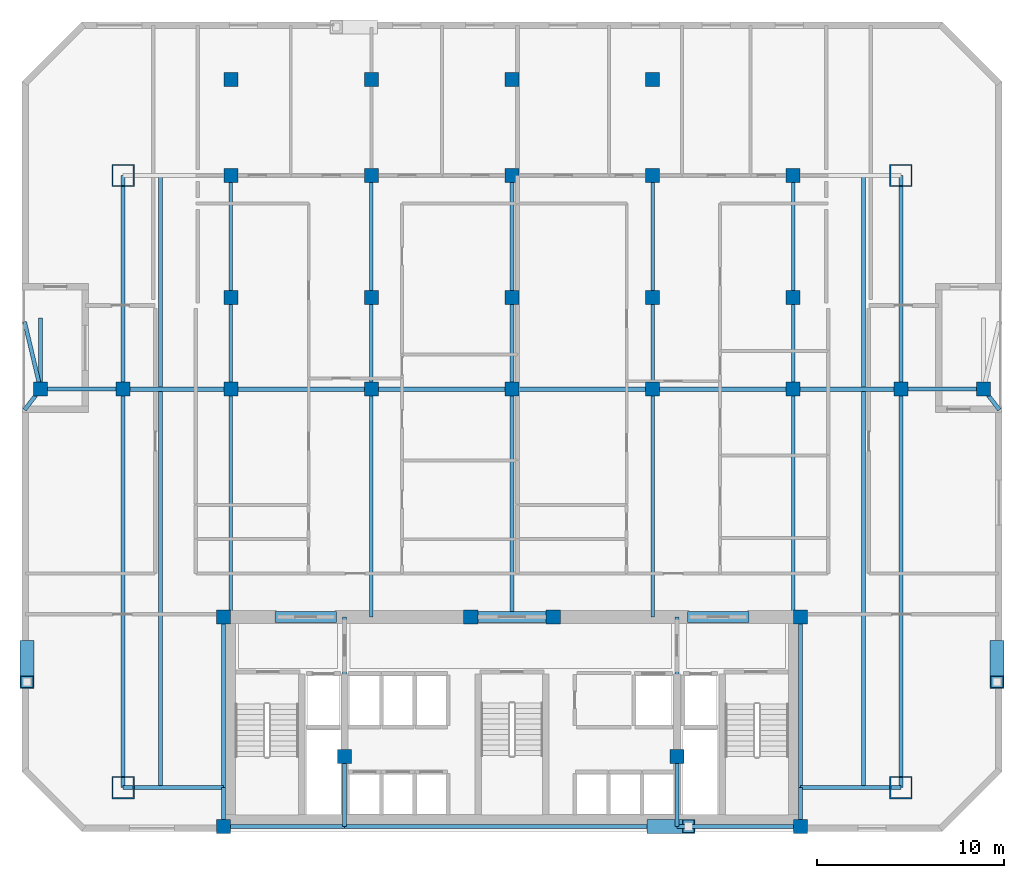
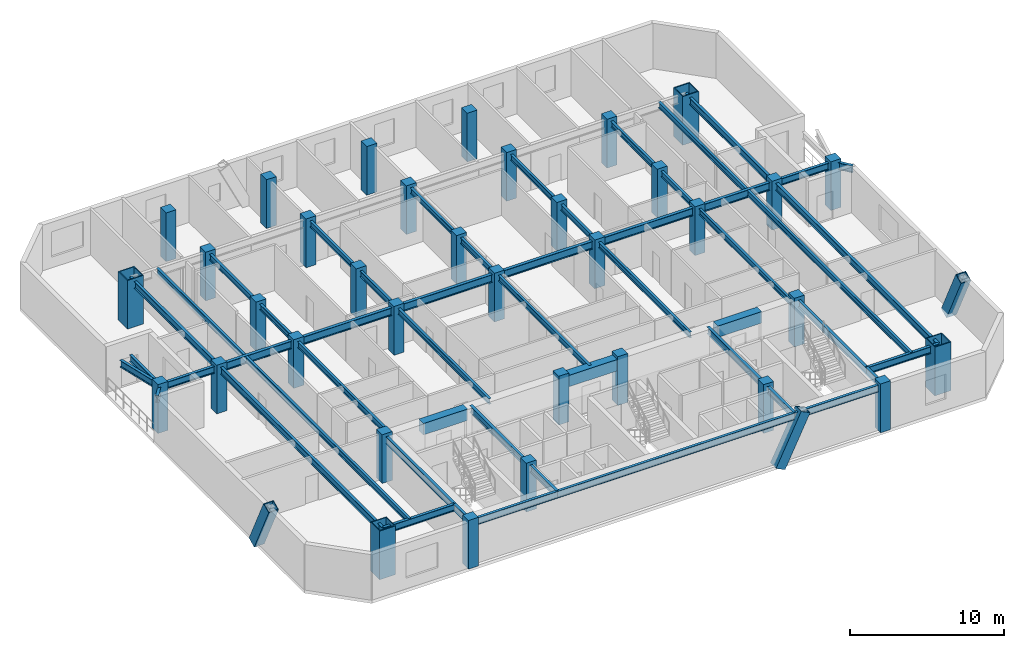
# One storey, part 1 of 9: 46 beams, 35 columns, 3 members.
"""IFC4 building model written with IfcOpenShell, lengths in metres."""

from ifc_helpers import new_model, si_unit, direction, frame, origin, origin_2d, place, context, subcontext, project, spatial, rectangle, hollow_rectangle, i_section, extrude, material, material_profile, profile_set, type_object, element, save


model = new_model("IFC4")

# Units and contexts
model_context = context("Model", 3, precision=1e-05, world=origin(), true_north=direction((0.0, 1.0)))
body_context = subcontext(model_context, "Body", "Model", "MODEL_VIEW")
ifc_project = project(units=[si_unit("LENGTHUNIT", "METRE"), si_unit("AREAUNIT", "SQUARE_METRE"), si_unit("VOLUMEUNIT", "CUBIC_METRE"), si_unit("PLANEANGLEUNIT", "RADIAN"), si_unit("MASSUNIT", "GRAM", prefix="KILO")], contexts=[model_context])

# Site, building, storey
site_placement = place(None, origin())
site = spatial("IfcSite", under=ifc_project, at=site_placement, CompositionType="ELEMENT")
building_placement = place(site_placement, origin())
building = spatial("IfcBuilding", under=site, at=building_placement, Name="Ventersveld Concourse Tower", CompositionType="ELEMENT")
storey_placement = place(building_placement, frame((0.0, 0.0, 108.0)))
storey = spatial("IfcBuildingStorey", under=building, at=storey_placement, Name="L26", CompositionType="ELEMENT", Elevation=108.0)

# Columns
ifc_material_1 = material(Name="Concrete C50/60", Category="concrete")
ifc_material_profile_1 = material_profile(ifc_material_1, rectangle(XDim=0.75, YDim=0.75, at=origin_2d()), Name="RC 750x750")
ifc_profile_set_1 = profile_set([ifc_material_profile_1], Name="Concrete C50/60")
column_type_1 = type_object("IfcColumnType", Name="COL-RC750", PredefinedType="COLUMN", material=ifc_profile_set_1)
for number, where, z_axis, x_axis, name in (
    (1, (13.35009765625, 0.280029296875, 0.0), (0.0, 0.0, 1.0), (1.0, 0.0, 0.0), "L26 Core Spine Column CC-SW"),
    (2, (44.14990234375, 0.280029296875, 0.0), (0.0, 0.0, 1.0), (1.0, 0.0, 0.0), "L26 Core Spine Column CC-SE"),
    (3, (13.35009765625, 11.449951171875, 0.0), (0.0, 0.0, 1.0), (1.0, 0.0, 0.0), "L26 Core Spine Column CC-NW"),
    (4, (44.14990234375, 11.449951171875, 0.0), (0.0, 0.0, 1.0), (1.0, 0.0, 0.0), "L26 Core Spine Column CC-NE"),
    (5, (19.820068359375, 4.0, 0.0), (0.0, 0.0, 1.0), (1.0, 0.0, 0.0), "L26 Core Spine Column CM-1"),
    (6, (37.550048828125, 4.0, 0.0), (0.0, 0.0, 1.0), (1.0, 0.0, 0.0), "L26 Core Spine Column CM-2"),
    (7, (26.550048828125, 11.449951171875, 0.0), (0.0, 0.0, 1.0), (1.0, 0.0, 0.0), "L26 Core Spine Column CM-3"),
    (8, (30.949951171875, 11.449951171875, 0.0), (0.0, 0.0, 1.0), (1.0, 0.0, 0.0), "L26 Core Spine Column CM-4"),
    (9, (3.60009765625, 23.60009765625, 0.0), (0.0, 0.0, 1.0), (1.0, 0.0, 0.0), "L26 Interior Gravity Column X=3.60 Y=23.60"),
    (10, (8.0, 23.60009765625, 0.0), (0.0, 0.0, 1.0), (1.0, 0.0, 0.0), "L26 Interior Gravity Column X=8.00 Y=23.60"),
    (11, (13.75, 23.60009765625, 0.0), (0.0, 0.0, 1.0), (1.0, 0.0, 0.0), "L26 Interior Gravity Column X=13.75 Y=23.60"),
    (12, (21.25, 23.60009765625, 0.0), (0.0, 0.0, 1.0), (1.0, 0.0, 0.0), "L26 Interior Gravity Column X=21.25 Y=23.60"),
    (13, (28.75, 23.60009765625, 0.0), (0.0, 0.0, 1.0), (1.0, 0.0, 0.0), "L26 Interior Gravity Column X=28.75 Y=23.60"),
    (14, (36.25, 23.60009765625, 0.0), (0.0, 0.0, 1.0), (1.0, 0.0, 0.0), "L26 Interior Gravity Column X=36.25 Y=23.60"),
    (15, (43.75, 23.60009765625, 0.0), (0.0, 0.0, 1.0), (1.0, 0.0, 0.0), "L26 Interior Gravity Column X=43.75 Y=23.60"),
    (16, (49.5, 23.60009765625, 0.0), (0.0, 0.0, 1.0), (1.0, 0.0, 0.0), "L26 Interior Gravity Column X=49.50 Y=23.60"),
    (17, (53.89990234375, 23.60009765625, 0.0), (0.0, 0.0, 1.0), (1.0, 0.0, 0.0), "L26 Interior Gravity Column X=53.90 Y=23.60"),
    (18, (13.75, 28.5, 0.0), (0.0, 0.0, 1.0), (1.0, 0.0, 0.0), "L26 Upper-North Gravity Column X=13.75 Y=28.50"),
    (19, (21.25, 28.5, 0.0), (0.0, 0.0, 1.0), (1.0, 0.0, 0.0), "L26 Upper-North Gravity Column X=21.25 Y=28.50"),
    (20, (28.75, 28.5, 0.0), (0.0, 0.0, 1.0), (1.0, 0.0, 0.0), "L26 Upper-North Gravity Column X=28.75 Y=28.50"),
    (21, (36.25, 28.5, 0.0), (0.0, 0.0, 1.0), (1.0, 0.0, 0.0), "L26 Upper-North Gravity Column X=36.25 Y=28.50"),
    (22, (43.75, 28.5, 0.0), (0.0, 0.0, 1.0), (1.0, 0.0, 0.0), "L26 Upper-North Gravity Column X=43.75 Y=28.50"),
    (23, (13.75, 40.1201171875, 0.0), (0.0, 0.0, 1.0), (1.0, 0.0, 0.0), "L26 North Brace Node Column X=13.75 Y=40.12"),
    (24, (21.25, 40.1201171875, 0.0), (0.0, 0.0, 1.0), (1.0, 0.0, 0.0), "L26 North Brace Node Column X=21.25 Y=40.12"),
    (25, (28.75, 40.1201171875, 0.0), (0.0, 0.0, 1.0), (1.0, 0.0, 0.0), "L26 North Brace Node Column X=28.75 Y=40.12"),
    (26, (36.25, 40.1201171875, 0.0), (0.0, 0.0, 1.0), (1.0, 0.0, 0.0), "L26 North Brace Node Column X=36.25 Y=40.12"),
    (27, (13.75, 35.0, 0.0), (0.0, 0.0, 1.0), (1.0, 0.0, 0.0), "L26 Mid-North Column X=13.75 Y=35.00"),
    (28, (21.25, 35.0, 0.0), (0.0, 0.0, 1.0), (1.0, 0.0, 0.0), "L26 Mid-North Column X=21.25 Y=35.00"),
    (29, (28.75, 35.0, 0.0), (0.0, 0.0, 1.0), (1.0, 0.0, 0.0), "L26 Mid-North Column X=28.75 Y=35.00"),
    (30, (36.25, 35.0, 0.0), (0.0, 0.0, 1.0), (1.0, 0.0, 0.0), "L26 Mid-North Column X=36.25 Y=35.00"),
    (31, (43.75, 35.0, 0.0), (0.0, 0.0, 1.0), (1.0, 0.0, 0.0), "L26 Mid-North Column X=43.75 Y=35.00"),
):
    element("IfcColumn", number, at=place(storey_placement, frame(where, z_axis=z_axis, x_axis=x_axis)), inside=storey, type_object=column_type_1, Name=name, PredefinedType="COLUMN", context=body_context, shape_type="SweptSolid", body=[
        extrude(rectangle(XDim=0.75, YDim=0.75, at=origin_2d()), origin(), (0.0, 0.0, 1.0), 3.85009765625),
    ])
ifc_material_2 = material(Name="Structural steel S460ML", Category="steel")
ifc_material_profile_2 = material_profile(ifc_material_2, hollow_rectangle(XDim=1.199951171875, YDim=1.199951171875, WallThickness=0.070068359375, at=origin_2d()), Name="BOX 1200x1200x70")
ifc_profile_set_2 = profile_set([ifc_material_profile_2], Name="Structural steel S460ML")
column_type_2 = type_object("IfcColumnType", Name="MC-1200", PredefinedType="USERDEFINED", material=ifc_profile_set_2)
for number, where, z_axis, x_axis, name in (
    (32, (8.0, 2.35009765625, 0.0), (0.0, 0.0, 1.0), (1.0, 0.0, 0.0), "L26 Corner Mega-Column MC-SW"),
    (33, (49.5, 2.35009765625, 0.0), (0.0, 0.0, 1.0), (1.0, 0.0, 0.0), "L26 Corner Mega-Column MC-SE"),
    (34, (49.5, 35.0, 0.0), (0.0, 0.0, 1.0), (1.0, 0.0, 0.0), "L26 Corner Mega-Column MC-NE"),
    (35, (8.0, 35.0, 0.0), (0.0, 0.0, 1.0), (1.0, 0.0, 0.0), "L26 Corner Mega-Column MC-NW"),
):
    element("IfcColumn", number, at=place(storey_placement, frame(where, z_axis=z_axis, x_axis=x_axis)), inside=storey, type_object=column_type_2, Name=name, ObjectType="MEGA_COLUMN", PredefinedType="USERDEFINED", context=body_context, shape_type="SweptSolid", body=[
        extrude(hollow_rectangle(XDim=1.199951171875, YDim=1.199951171875, WallThickness=0.070068359375, at=origin_2d()), origin(), (0.0, 0.0, 1.0), 3.85009765625),
    ])

# Beams
ifc_material_3 = material(Name="Structural steel S355J2", Category="steel")
ifc_material_profile_3 = material_profile(ifc_material_3, i_section(OverallWidth=0.18994140625, OverallDepth=0.453369140625, WebThickness=0.008544921875, FlangeThickness=0.0126953125, FilletRadius=0.01025390625, at=origin_2d()), Name="UB 457x191x67")
ifc_profile_set_3 = profile_set([ifc_material_profile_3], Name="Structural steel S355J2")
beam_type_1 = type_object("IfcBeamType", Name="BM-UB457", PredefinedType="BEAM", material=ifc_profile_set_3)
beam_1_placement = place(storey_placement, frame((10.0, 2.35009765625, 3.373291015625), z_axis=(0.0, 1.0, 0.0), x_axis=(-1.0, 0.0, 0.0)))
element("IfcBeam", 36, at=beam_1_placement, inside=storey, type_object=beam_type_1, Name="L26 N-S Composite Floor Beam South X=10.00", PredefinedType="BEAM", context=body_context, shape_type="SweptSolid", body=[
    extrude(i_section(OverallWidth=0.18994140625, OverallDepth=0.453369140625, WebThickness=0.008544921875, FlangeThickness=0.0126953125, FilletRadius=0.01025390625, at=origin_2d()), origin(), (0.0, 0.0, 1.0), 21.15478515625),
])
beam_2_placement = place(storey_placement, frame((10.0, 23.695068359375, 3.373291015625), z_axis=(0.0, 1.0, 0.0), x_axis=(-1.0, 0.0, 0.0)))
element("IfcBeam", 37, at=beam_2_placement, inside=storey, type_object=beam_type_1, Name="L26 N-S Composite Floor Beam Mid X=10.00", PredefinedType="BEAM", context=body_context, shape_type="SweptSolid", body=[
    extrude(i_section(OverallWidth=0.18994140625, OverallDepth=0.453369140625, WebThickness=0.008544921875, FlangeThickness=0.0126953125, FilletRadius=0.01025390625, at=origin_2d()), origin(), (0.0, 0.0, 1.0), 11.304931640625),
])
beam_3_placement = place(storey_placement, frame((13.75, 11.449951171875, 3.373291015625), z_axis=(0.0, 1.0, 0.0), x_axis=(-1.0, 0.0, 0.0)))
element("IfcBeam", 38, at=beam_3_placement, inside=storey, type_object=beam_type_1, Name="L26 N-S Composite Floor Beam South X=13.75", PredefinedType="BEAM", context=body_context, shape_type="SweptSolid", body=[
    extrude(i_section(OverallWidth=0.18994140625, OverallDepth=0.453369140625, WebThickness=0.008544921875, FlangeThickness=0.0126953125, FilletRadius=0.01025390625, at=origin_2d()), origin(), (0.0, 0.0, 1.0), 12.150146484375),
])
beam_4_placement = place(storey_placement, frame((13.75, 23.60009765625, 3.373291015625), z_axis=(0.0, 1.0, 0.0), x_axis=(-1.0, 0.0, 0.0)))
element("IfcBeam", 39, at=beam_4_placement, inside=storey, type_object=beam_type_1, Name="L26 N-S Composite Floor Beam Mid X=13.75", PredefinedType="BEAM", context=body_context, shape_type="SweptSolid", body=[
    extrude(i_section(OverallWidth=0.18994140625, OverallDepth=0.453369140625, WebThickness=0.008544921875, FlangeThickness=0.0126953125, FilletRadius=0.01025390625, at=origin_2d()), origin(), (0.0, 0.0, 1.0), 11.39990234375),
])
beam_5_placement = place(storey_placement, frame((21.25, 11.449951171875, 3.373291015625), z_axis=(0.0, 1.0, 0.0), x_axis=(-1.0, 0.0, 0.0)))
element("IfcBeam", 40, at=beam_5_placement, inside=storey, type_object=beam_type_1, Name="L26 N-S Composite Floor Beam South X=21.25", PredefinedType="BEAM", context=body_context, shape_type="SweptSolid", body=[
    extrude(i_section(OverallWidth=0.18994140625, OverallDepth=0.453369140625, WebThickness=0.008544921875, FlangeThickness=0.0126953125, FilletRadius=0.01025390625, at=origin_2d()), origin(), (0.0, 0.0, 1.0), 12.150146484375),
])
beam_6_placement = place(storey_placement, frame((21.25, 23.60009765625, 3.373291015625), z_axis=(0.0, 1.0, 0.0), x_axis=(-1.0, 0.0, 0.0)))
element("IfcBeam", 41, at=beam_6_placement, inside=storey, type_object=beam_type_1, Name="L26 N-S Composite Floor Beam Mid X=21.25", PredefinedType="BEAM", context=body_context, shape_type="SweptSolid", body=[
    extrude(i_section(OverallWidth=0.18994140625, OverallDepth=0.453369140625, WebThickness=0.008544921875, FlangeThickness=0.0126953125, FilletRadius=0.01025390625, at=origin_2d()), origin(), (0.0, 0.0, 1.0), 11.39990234375),
])
beam_7_placement = place(storey_placement, frame((28.75, 11.449951171875, 3.373291015625), z_axis=(0.0, 1.0, 0.0), x_axis=(-1.0, 0.0, 0.0)))
element("IfcBeam", 42, at=beam_7_placement, inside=storey, type_object=beam_type_1, Name="L26 N-S Composite Floor Beam South X=28.75", PredefinedType="BEAM", context=body_context, shape_type="SweptSolid", body=[
    extrude(i_section(OverallWidth=0.18994140625, OverallDepth=0.453369140625, WebThickness=0.008544921875, FlangeThickness=0.0126953125, FilletRadius=0.01025390625, at=origin_2d()), origin(), (0.0, 0.0, 1.0), 12.150146484375),
])
beam_8_placement = place(storey_placement, frame((28.75, 23.60009765625, 3.373291015625), z_axis=(0.0, 1.0, 0.0), x_axis=(-1.0, 0.0, 0.0)))
element("IfcBeam", 43, at=beam_8_placement, inside=storey, type_object=beam_type_1, Name="L26 N-S Composite Floor Beam Mid X=28.75", PredefinedType="BEAM", context=body_context, shape_type="SweptSolid", body=[
    extrude(i_section(OverallWidth=0.18994140625, OverallDepth=0.453369140625, WebThickness=0.008544921875, FlangeThickness=0.0126953125, FilletRadius=0.01025390625, at=origin_2d()), origin(), (0.0, 0.0, 1.0), 11.39990234375),
])
beam_9_placement = place(storey_placement, frame((36.25, 11.449951171875, 3.373291015625), z_axis=(0.0, 1.0, 0.0), x_axis=(-1.0, 0.0, 0.0)))
element("IfcBeam", 44, at=beam_9_placement, inside=storey, type_object=beam_type_1, Name="L26 N-S Composite Floor Beam South X=36.25", PredefinedType="BEAM", context=body_context, shape_type="SweptSolid", body=[
    extrude(i_section(OverallWidth=0.18994140625, OverallDepth=0.453369140625, WebThickness=0.008544921875, FlangeThickness=0.0126953125, FilletRadius=0.01025390625, at=origin_2d()), origin(), (0.0, 0.0, 1.0), 12.150146484375),
])
beam_10_placement = place(storey_placement, frame((36.25, 23.60009765625, 3.373291015625), z_axis=(0.0, 1.0, 0.0), x_axis=(-1.0, 0.0, 0.0)))
element("IfcBeam", 45, at=beam_10_placement, inside=storey, type_object=beam_type_1, Name="L26 N-S Composite Floor Beam Mid X=36.25", PredefinedType="BEAM", context=body_context, shape_type="SweptSolid", body=[
    extrude(i_section(OverallWidth=0.18994140625, OverallDepth=0.453369140625, WebThickness=0.008544921875, FlangeThickness=0.0126953125, FilletRadius=0.01025390625, at=origin_2d()), origin(), (0.0, 0.0, 1.0), 11.39990234375),
])
beam_11_placement = place(storey_placement, frame((43.75, 11.449951171875, 3.373291015625), z_axis=(0.0, 1.0, 0.0), x_axis=(-1.0, 0.0, 0.0)))
element("IfcBeam", 46, at=beam_11_placement, inside=storey, type_object=beam_type_1, Name="L26 N-S Composite Floor Beam South X=43.75", PredefinedType="BEAM", context=body_context, shape_type="SweptSolid", body=[
    extrude(i_section(OverallWidth=0.18994140625, OverallDepth=0.453369140625, WebThickness=0.008544921875, FlangeThickness=0.0126953125, FilletRadius=0.01025390625, at=origin_2d()), origin(), (0.0, 0.0, 1.0), 12.150146484375),
])
beam_12_placement = place(storey_placement, frame((43.75, 23.60009765625, 3.373291015625), z_axis=(0.0, 1.0, 0.0), x_axis=(-1.0, 0.0, 0.0)))
element("IfcBeam", 47, at=beam_12_placement, inside=storey, type_object=beam_type_1, Name="L26 N-S Composite Floor Beam Mid X=43.75", PredefinedType="BEAM", context=body_context, shape_type="SweptSolid", body=[
    extrude(i_section(OverallWidth=0.18994140625, OverallDepth=0.453369140625, WebThickness=0.008544921875, FlangeThickness=0.0126953125, FilletRadius=0.01025390625, at=origin_2d()), origin(), (0.0, 0.0, 1.0), 11.39990234375),
])
beam_13_placement = place(storey_placement, frame((47.5, 2.35009765625, 3.373291015625), z_axis=(0.0, 1.0, 0.0), x_axis=(-1.0, 0.0, 0.0)))
element("IfcBeam", 48, at=beam_13_placement, inside=storey, type_object=beam_type_1, Name="L26 N-S Composite Floor Beam South X=47.50", PredefinedType="BEAM", context=body_context, shape_type="SweptSolid", body=[
    extrude(i_section(OverallWidth=0.18994140625, OverallDepth=0.453369140625, WebThickness=0.008544921875, FlangeThickness=0.0126953125, FilletRadius=0.01025390625, at=origin_2d()), origin(), (0.0, 0.0, 1.0), 21.15478515625),
])
beam_14_placement = place(storey_placement, frame((47.5, 23.695068359375, 3.373291015625), z_axis=(0.0, 1.0, 0.0), x_axis=(-1.0, 0.0, 0.0)))
element("IfcBeam", 49, at=beam_14_placement, inside=storey, type_object=beam_type_1, Name="L26 N-S Composite Floor Beam Mid X=47.50", PredefinedType="BEAM", context=body_context, shape_type="SweptSolid", body=[
    extrude(i_section(OverallWidth=0.18994140625, OverallDepth=0.453369140625, WebThickness=0.008544921875, FlangeThickness=0.0126953125, FilletRadius=0.01025390625, at=origin_2d()), origin(), (0.0, 0.0, 1.0), 11.304931640625),
])
ifc_material_4 = material(Name="Concrete C60/75", Category="concrete")
ifc_material_profile_4 = material_profile(ifc_material_4, rectangle(XDim=0.60009765625, YDim=0.89990234375, at=origin_2d()), Name="RC 600x900")
ifc_profile_set_4 = profile_set([ifc_material_profile_4], Name="Concrete C60/75")
beam_type_2 = type_object("IfcBeamType", Name="CB-RC600x900L", PredefinedType="LINTEL", material=ifc_profile_set_4)
beam_15_placement = place(storey_placement, frame((16.10009765625, 11.449951171875, 3.14990234375), z_axis=(1.0, 0.0, 0.0), x_axis=(0.0, 1.0, 0.0)))
element("IfcBeam", 50, at=beam_15_placement, inside=storey, type_object=beam_type_2, Name="L26 Core Coupling Lintel Beam 1", PredefinedType="LINTEL", context=body_context, shape_type="SweptSolid", body=[
    extrude(rectangle(XDim=0.60009765625, YDim=0.89990234375, at=origin_2d()), origin(), (0.0, 0.0, 1.0), 3.2998046875),
])
beam_16_placement = place(storey_placement, frame((26.5, 11.449951171875, 3.14990234375), z_axis=(1.0, 0.0, 0.0), x_axis=(0.0, 1.0, 0.0)))
element("IfcBeam", 51, at=beam_16_placement, inside=storey, type_object=beam_type_2, Name="L26 Core Coupling Lintel Beam 2", PredefinedType="LINTEL", context=body_context, shape_type="SweptSolid", body=[
    extrude(rectangle(XDim=0.60009765625, YDim=0.89990234375, at=origin_2d()), origin(), (0.0, 0.0, 1.0), 4.5),
])
beam_17_placement = place(storey_placement, frame((38.10009765625, 11.449951171875, 3.14990234375), z_axis=(1.0, 0.0, 0.0), x_axis=(0.0, 1.0, 0.0)))
element("IfcBeam", 52, at=beam_17_placement, inside=storey, type_object=beam_type_2, Name="L26 Core Coupling Lintel Beam 3", PredefinedType="LINTEL", context=body_context, shape_type="SweptSolid", body=[
    extrude(rectangle(XDim=0.60009765625, YDim=0.89990234375, at=origin_2d()), origin(), (0.0, 0.0, 1.0), 3.2998046875),
])
ifc_material_profile_5 = material_profile(ifc_material_3, i_section(OverallWidth=0.2119140625, OverallDepth=0.54443359375, WebThickness=0.0126953125, FlangeThickness=0.021240234375, FilletRadius=0.0126953125, at=origin_2d()), Name="UB 533x210x122")
ifc_profile_set_5 = profile_set([ifc_material_profile_5], Name="Structural steel S355J2")
beam_type_3 = type_object("IfcBeamType", Name="GRD-UB533H", PredefinedType="T_BEAM", material=ifc_profile_set_5)
beam_18_placement = place(storey_placement, frame((13.35009765625, 0.280029296875, 3.32763671875), z_axis=(0.0, 1.0, 0.0), x_axis=(-1.0, 0.0, 0.0)))
element("IfcBeam", 53, at=beam_18_placement, inside=storey, type_object=beam_type_3, Name="L26 Core West Tie Beam S", PredefinedType="T_BEAM", context=body_context, shape_type="SweptSolid", body=[
    extrude(i_section(OverallWidth=0.2119140625, OverallDepth=0.54443359375, WebThickness=0.0126953125, FlangeThickness=0.021240234375, FilletRadius=0.0126953125, at=origin_2d()), origin(), (0.0, 0.0, 1.0), 2.070068359375),
])
beam_19_placement = place(storey_placement, frame((13.35009765625, 2.35009765625, 3.32763671875), z_axis=(0.0, 1.0, 0.0), x_axis=(-1.0, 0.0, 0.0)))
element("IfcBeam", 54, at=beam_19_placement, inside=storey, type_object=beam_type_3, Name="L26 Core West Tie Beam N", PredefinedType="T_BEAM", context=body_context, shape_type="SweptSolid", body=[
    extrude(i_section(OverallWidth=0.2119140625, OverallDepth=0.54443359375, WebThickness=0.0126953125, FlangeThickness=0.021240234375, FilletRadius=0.0126953125, at=origin_2d()), origin(), (0.0, 0.0, 1.0), 9.099853515625),
])
beam_20_placement = place(storey_placement, frame((44.14990234375, 0.280029296875, 3.32763671875), z_axis=(0.0, 1.0, 0.0), x_axis=(-1.0, 0.0, 0.0)))
element("IfcBeam", 55, at=beam_20_placement, inside=storey, type_object=beam_type_3, Name="L26 Core East Tie Beam S", PredefinedType="T_BEAM", context=body_context, shape_type="SweptSolid", body=[
    extrude(i_section(OverallWidth=0.2119140625, OverallDepth=0.54443359375, WebThickness=0.0126953125, FlangeThickness=0.021240234375, FilletRadius=0.0126953125, at=origin_2d()), origin(), (0.0, 0.0, 1.0), 2.070068359375),
])
beam_21_placement = place(storey_placement, frame((44.14990234375, 2.35009765625, 3.32763671875), z_axis=(0.0, 1.0, 0.0), x_axis=(-1.0, 0.0, 0.0)))
element("IfcBeam", 56, at=beam_21_placement, inside=storey, type_object=beam_type_3, Name="L26 Core East Tie Beam N", PredefinedType="T_BEAM", context=body_context, shape_type="SweptSolid", body=[
    extrude(i_section(OverallWidth=0.2119140625, OverallDepth=0.54443359375, WebThickness=0.0126953125, FlangeThickness=0.021240234375, FilletRadius=0.0126953125, at=origin_2d()), origin(), (0.0, 0.0, 1.0), 9.099853515625),
])
beam_22_placement = place(storey_placement, frame((13.35009765625, 0.280029296875, 3.32763671875), z_axis=(1.0, 0.0, 0.0), x_axis=(0.0, 1.0, 0.0)))
element("IfcBeam", 57, at=beam_22_placement, inside=storey, type_object=beam_type_3, Name="L26 Core South Tie Beam W", PredefinedType="T_BEAM", context=body_context, shape_type="SweptSolid", body=[
    extrude(i_section(OverallWidth=0.2119140625, OverallDepth=0.54443359375, WebThickness=0.0126953125, FlangeThickness=0.021240234375, FilletRadius=0.0126953125, at=origin_2d()), origin(), (0.0, 0.0, 1.0), 6.469970703125),
])
beam_23_placement = place(storey_placement, frame((19.820068359375, 0.280029296875, 3.32763671875), z_axis=(1.0, 0.0, 0.0), x_axis=(0.0, 1.0, 0.0)))
element("IfcBeam", 58, at=beam_23_placement, inside=storey, type_object=beam_type_3, Name="L26 Core South Tie Beam C", PredefinedType="T_BEAM", context=body_context, shape_type="SweptSolid", body=[
    extrude(i_section(OverallWidth=0.2119140625, OverallDepth=0.54443359375, WebThickness=0.0126953125, FlangeThickness=0.021240234375, FilletRadius=0.0126953125, at=origin_2d()), origin(), (0.0, 0.0, 1.0), 17.72998046875),
])
beam_24_placement = place(storey_placement, frame((37.550048828125, 0.280029296875, 3.32763671875), z_axis=(1.0, 0.0, 0.0), x_axis=(0.0, 1.0, 0.0)))
element("IfcBeam", 59, at=beam_24_placement, inside=storey, type_object=beam_type_3, Name="L26 Core South Tie Beam E", PredefinedType="T_BEAM", context=body_context, shape_type="SweptSolid", body=[
    extrude(i_section(OverallWidth=0.2119140625, OverallDepth=0.54443359375, WebThickness=0.0126953125, FlangeThickness=0.021240234375, FilletRadius=0.0126953125, at=origin_2d()), origin(), (0.0, 0.0, 1.0), 6.599853515625),
])
beam_25_placement = place(storey_placement, frame((19.820068359375, 0.280029296875, 3.32763671875), z_axis=(0.0, 1.0, 0.0), x_axis=(-1.0, 0.0, 0.0)))
element("IfcBeam", 60, at=beam_25_placement, inside=storey, type_object=beam_type_3, Name="L26 Core Spine N-S Tie Beam W1", PredefinedType="T_BEAM", context=body_context, shape_type="SweptSolid", body=[
    extrude(i_section(OverallWidth=0.2119140625, OverallDepth=0.54443359375, WebThickness=0.0126953125, FlangeThickness=0.021240234375, FilletRadius=0.0126953125, at=origin_2d()), origin(), (0.0, 0.0, 1.0), 3.719970703125),
])
beam_26_placement = place(storey_placement, frame((19.820068359375, 4.0, 3.32763671875), z_axis=(0.0, 1.0, 0.0), x_axis=(-1.0, 0.0, 0.0)))
element("IfcBeam", 61, at=beam_26_placement, inside=storey, type_object=beam_type_3, Name="L26 Core Spine N-S Tie Beam W2", PredefinedType="T_BEAM", context=body_context, shape_type="SweptSolid", body=[
    extrude(i_section(OverallWidth=0.2119140625, OverallDepth=0.54443359375, WebThickness=0.0126953125, FlangeThickness=0.021240234375, FilletRadius=0.0126953125, at=origin_2d()), origin(), (0.0, 0.0, 1.0), 7.449951171875),
])
beam_27_placement = place(storey_placement, frame((37.550048828125, 0.280029296875, 3.32763671875), z_axis=(0.0, 1.0, 0.0), x_axis=(-1.0, 0.0, 0.0)))
element("IfcBeam", 62, at=beam_27_placement, inside=storey, type_object=beam_type_3, Name="L26 Core Spine N-S Tie Beam E1", PredefinedType="T_BEAM", context=body_context, shape_type="SweptSolid", body=[
    extrude(i_section(OverallWidth=0.2119140625, OverallDepth=0.54443359375, WebThickness=0.0126953125, FlangeThickness=0.021240234375, FilletRadius=0.0126953125, at=origin_2d()), origin(), (0.0, 0.0, 1.0), 3.719970703125),
])
beam_28_placement = place(storey_placement, frame((37.550048828125, 4.0, 3.32763671875), z_axis=(0.0, 1.0, 0.0), x_axis=(-1.0, 0.0, 0.0)))
element("IfcBeam", 63, at=beam_28_placement, inside=storey, type_object=beam_type_3, Name="L26 Core Spine N-S Tie Beam E2", PredefinedType="T_BEAM", context=body_context, shape_type="SweptSolid", body=[
    extrude(i_section(OverallWidth=0.2119140625, OverallDepth=0.54443359375, WebThickness=0.0126953125, FlangeThickness=0.021240234375, FilletRadius=0.0126953125, at=origin_2d()), origin(), (0.0, 0.0, 1.0), 7.449951171875),
])
ifc_material_profile_6 = material_profile(ifc_material_3, i_section(OverallWidth=0.230224609375, OverallDepth=0.6171875, WebThickness=0.01318359375, FlangeThickness=0.022216796875, FilletRadius=0.0126953125, at=origin_2d()), Name="UB 610x229x140")
ifc_profile_set_6 = profile_set([ifc_material_profile_6], Name="Structural steel S355J2")
beam_type_4 = type_object("IfcBeamType", Name="GRD-UB610", PredefinedType="USERDEFINED", material=ifc_profile_set_6)
beam_29_placement = place(storey_placement, frame((8.0, 23.60009765625, 3.29150390625), z_axis=(1.0, 0.0, 0.0), x_axis=(0.0, 1.0, 0.0)))
element("IfcBeam", 64, at=beam_29_placement, inside=storey, type_object=beam_type_4, Name="L26 Primary E-W Grid Girder Y=23.60 #1", ObjectType="GIRDER", PredefinedType="USERDEFINED", context=body_context, shape_type="SweptSolid", body=[
    extrude(i_section(OverallWidth=0.230224609375, OverallDepth=0.6171875, WebThickness=0.01318359375, FlangeThickness=0.022216796875, FilletRadius=0.0126953125, at=origin_2d()), origin(), (0.0, 0.0, 1.0), 5.75),
])
for number, where, z_axis, x_axis, name in (
    (65, (13.75, 23.60009765625, 3.29150390625), (1.0, 0.0, 0.0), (0.0, 1.0, 0.0), "L26 Primary E-W Grid Girder Y=23.60 #2"),
    (66, (21.25, 23.60009765625, 3.29150390625), (1.0, 0.0, 0.0), (0.0, 1.0, 0.0), "L26 Primary E-W Grid Girder Y=23.60 #3"),
    (67, (28.75, 23.60009765625, 3.29150390625), (1.0, 0.0, 0.0), (0.0, 1.0, 0.0), "L26 Primary E-W Grid Girder Y=23.60 #4"),
    (68, (36.25, 23.60009765625, 3.29150390625), (1.0, 0.0, 0.0), (0.0, 1.0, 0.0), "L26 Primary E-W Grid Girder Y=23.60 #5"),
):
    element("IfcBeam", number, at=place(storey_placement, frame(where, z_axis=z_axis, x_axis=x_axis)), inside=storey, type_object=beam_type_4, Name=name, ObjectType="GIRDER", PredefinedType="USERDEFINED", context=body_context, shape_type="SweptSolid", body=[
        extrude(i_section(OverallWidth=0.230224609375, OverallDepth=0.6171875, WebThickness=0.01318359375, FlangeThickness=0.022216796875, FilletRadius=0.0126953125, at=origin_2d()), origin(), (0.0, 0.0, 1.0), 7.5),
    ])
beam_30_placement = place(storey_placement, frame((43.75, 23.60009765625, 3.29150390625), z_axis=(1.0, 0.0, 0.0), x_axis=(0.0, 1.0, 0.0)))
element("IfcBeam", 69, at=beam_30_placement, inside=storey, type_object=beam_type_4, Name="L26 Primary E-W Grid Girder Y=23.60 #6", ObjectType="GIRDER", PredefinedType="USERDEFINED", context=body_context, shape_type="SweptSolid", body=[
    extrude(i_section(OverallWidth=0.230224609375, OverallDepth=0.6171875, WebThickness=0.01318359375, FlangeThickness=0.022216796875, FilletRadius=0.0126953125, at=origin_2d()), origin(), (0.0, 0.0, 1.0), 5.75),
])

# Members
ifc_material_5 = material(Name="Structural steel S355ML", Category="steel")
ifc_material_profile_7 = material_profile(ifc_material_5, hollow_rectangle(XDim=0.75, YDim=0.75, WallThickness=0.044921875, at=origin_2d()), Name="BOX 750x750x45")
ifc_profile_set_7 = profile_set([ifc_material_profile_7], Name="Structural steel S355ML")
member_type = type_object("IfcMemberType", Name="MB-750x750", PredefinedType="BRACE", material=ifc_profile_set_7)
for number, where, z_axis, x_axis, name in (
    (70, (36.300048828125, 0.280029296875, -0.25), (0.437839464193, 0.0, 0.899053170616), (0.0, 1.0, 0.0), "L26 Exterior Mega-Brace S (Module M06)"),
    (71, (2.8798828125, 9.85009765625, -0.25), (0.0, -0.437839464193, 0.899053170616), (1.0, 0.0, 0.0), "L26 Exterior Mega-Brace W (Module M06)"),
    (72, (54.6201171875, 9.85009765625, -0.25), (0.0, -0.437839464193, 0.899053170616), (1.0, 0.0, 0.0), "L26 Exterior Mega-Brace E (Module M06)"),
):
    element("IfcMember", number, at=place(storey_placement, frame(where, z_axis=z_axis, x_axis=x_axis)), inside=storey, type_object=member_type, Name=name, PredefinedType="BRACE", context=body_context, shape_type="SweptSolid", body=[
        extrude(hollow_rectangle(XDim=0.75, YDim=0.75, WallThickness=0.044921875, at=origin_2d()), origin(), (0.0, 0.0, 1.0), 4.282470703125),
    ])

# Beams
ifc_material_profile_8 = material_profile(ifc_material_3, i_section(OverallWidth=0.2119140625, OverallDepth=0.54443359375, WebThickness=0.0126953125, FlangeThickness=0.021240234375, FilletRadius=0.0126953125, at=origin_2d()), Name="UB 533x210x122")
ifc_profile_set_8 = profile_set([ifc_material_profile_8], Name="Structural steel S355J2")
beam_type_5 = type_object("IfcBeamType", Name="SPD-UB533", PredefinedType="SPANDREL", material=ifc_profile_set_8)
for number, where, z_axis, x_axis, name in (
    (73, (8.0, 2.35009765625, 3.32763671875), (1.0, 0.0, 0.0), (0.0, 1.0, 0.0), "L26 SW Spandrel Beam"),
    (74, (44.14990234375, 2.35009765625, 3.32763671875), (1.0, 0.0, 0.0), (0.0, 1.0, 0.0), "L26 SE Spandrel Beam"),
):
    element("IfcBeam", number, at=place(storey_placement, frame(where, z_axis=z_axis, x_axis=x_axis)), inside=storey, type_object=beam_type_5, Name=name, PredefinedType="SPANDREL", context=body_context, shape_type="SweptSolid", body=[
        extrude(i_section(OverallWidth=0.2119140625, OverallDepth=0.54443359375, WebThickness=0.0126953125, FlangeThickness=0.021240234375, FilletRadius=0.0126953125, at=origin_2d()), origin(), (0.0, 0.0, 1.0), 5.35009765625),
    ])
beam_31_placement = place(storey_placement, frame((8.0, 2.35009765625, 3.32763671875), z_axis=(0.0, 1.0, 0.0), x_axis=(-1.0, 0.0, 0.0)))
element("IfcBeam", 75, at=beam_31_placement, inside=storey, type_object=beam_type_5, Name="L26 West Spandrel Beam S", PredefinedType="SPANDREL", context=body_context, shape_type="SweptSolid", body=[
    extrude(i_section(OverallWidth=0.2119140625, OverallDepth=0.54443359375, WebThickness=0.0126953125, FlangeThickness=0.021240234375, FilletRadius=0.0126953125, at=origin_2d()), origin(), (0.0, 0.0, 1.0), 21.25),
])
beam_32_placement = place(storey_placement, frame((8.0, 23.60009765625, 3.32763671875), z_axis=(0.0, 1.0, 0.0), x_axis=(-1.0, 0.0, 0.0)))
element("IfcBeam", 76, at=beam_32_placement, inside=storey, type_object=beam_type_5, Name="L26 West Spandrel Beam N", PredefinedType="SPANDREL", context=body_context, shape_type="SweptSolid", body=[
    extrude(i_section(OverallWidth=0.2119140625, OverallDepth=0.54443359375, WebThickness=0.0126953125, FlangeThickness=0.021240234375, FilletRadius=0.0126953125, at=origin_2d()), origin(), (0.0, 0.0, 1.0), 11.39990234375),
])
beam_33_placement = place(storey_placement, frame((49.5, 2.35009765625, 3.32763671875), z_axis=(0.0, 1.0, 0.0), x_axis=(-1.0, 0.0, 0.0)))
element("IfcBeam", 77, at=beam_33_placement, inside=storey, type_object=beam_type_5, Name="L26 East Spandrel Beam S", PredefinedType="SPANDREL", context=body_context, shape_type="SweptSolid", body=[
    extrude(i_section(OverallWidth=0.2119140625, OverallDepth=0.54443359375, WebThickness=0.0126953125, FlangeThickness=0.021240234375, FilletRadius=0.0126953125, at=origin_2d()), origin(), (0.0, 0.0, 1.0), 21.25),
])
beam_34_placement = place(storey_placement, frame((49.5, 23.60009765625, 3.32763671875), z_axis=(0.0, 1.0, 0.0), x_axis=(-1.0, 0.0, 0.0)))
element("IfcBeam", 78, at=beam_34_placement, inside=storey, type_object=beam_type_5, Name="L26 East Spandrel Beam N", PredefinedType="SPANDREL", context=body_context, shape_type="SweptSolid", body=[
    extrude(i_section(OverallWidth=0.2119140625, OverallDepth=0.54443359375, WebThickness=0.0126953125, FlangeThickness=0.021240234375, FilletRadius=0.0126953125, at=origin_2d()), origin(), (0.0, 0.0, 1.0), 11.39990234375),
])
beam_35_placement = place(storey_placement, frame((3.60009765625, 23.60009765625, 3.32763671875), z_axis=(0.0, 1.0, 0.0), x_axis=(-1.0, 0.0, 0.0)))
element("IfcBeam", 79, at=beam_35_placement, inside=storey, type_object=beam_type_5, Name="L26 West Valley Spine Girder", PredefinedType="SPANDREL", context=body_context, shape_type="SweptSolid", body=[
    extrude(i_section(OverallWidth=0.2119140625, OverallDepth=0.54443359375, WebThickness=0.0126953125, FlangeThickness=0.021240234375, FilletRadius=0.0126953125, at=origin_2d()), origin(), (0.0, 0.0, 1.0), 3.7998046875),
])
beam_36_placement = place(storey_placement, frame((3.60009765625, 23.60009765625, 3.32763671875), z_axis=(1.0, 0.0, 0.0), x_axis=(0.0, 1.0, 0.0)))
element("IfcBeam", 80, at=beam_36_placement, inside=storey, type_object=beam_type_5, Name="L26 West Valley Tie S", PredefinedType="SPANDREL", context=body_context, shape_type="SweptSolid", body=[
    extrude(i_section(OverallWidth=0.2119140625, OverallDepth=0.54443359375, WebThickness=0.0126953125, FlangeThickness=0.021240234375, FilletRadius=0.0126953125, at=origin_2d()), origin(), (0.0, 0.0, 1.0), 4.39990234375),
])
beam_37_placement = place(storey_placement, frame((2.75, 22.5, 3.32763671875), z_axis=(0.611457496669, 0.791277277424, 0.0), x_axis=(-0.791277277424, 0.611457496669, 0.0)))
element("IfcBeam", 81, at=beam_37_placement, inside=storey, type_object=beam_type_5, Name="L26 West Valley Corner Bracket 1", PredefinedType="SPANDREL", context=body_context, shape_type="SweptSolid", body=[
    extrude(i_section(OverallWidth=0.2119140625, OverallDepth=0.54443359375, WebThickness=0.0126953125, FlangeThickness=0.021240234375, FilletRadius=0.0126953125, at=origin_2d()), origin(), (0.0, 0.0, 1.0), 1.390380859375),
])
beam_38_placement = place(storey_placement, frame((2.75, 27.199951171875, 3.32763671875), z_axis=(0.229826547993, -0.973231605445, 0.0), x_axis=(0.973231605445, 0.229826547993, 0.0)))
element("IfcBeam", 82, at=beam_38_placement, inside=storey, type_object=beam_type_5, Name="L26 West Valley Corner Bracket 2", PredefinedType="SPANDREL", context=body_context, shape_type="SweptSolid", body=[
    extrude(i_section(OverallWidth=0.2119140625, OverallDepth=0.54443359375, WebThickness=0.0126953125, FlangeThickness=0.021240234375, FilletRadius=0.0126953125, at=origin_2d()), origin(), (0.0, 0.0, 1.0), 3.698974609375),
])
beam_39_placement = place(storey_placement, frame((49.5, 23.60009765625, 3.32763671875), z_axis=(1.0, 0.0, 0.0), x_axis=(0.0, 1.0, 0.0)))
element("IfcBeam", 83, at=beam_39_placement, inside=storey, type_object=beam_type_5, Name="L26 East Valley Tie S", PredefinedType="SPANDREL", context=body_context, shape_type="SweptSolid", body=[
    extrude(i_section(OverallWidth=0.2119140625, OverallDepth=0.54443359375, WebThickness=0.0126953125, FlangeThickness=0.021240234375, FilletRadius=0.0126953125, at=origin_2d()), origin(), (0.0, 0.0, 1.0), 4.39990234375),
])
beam_40_placement = place(storey_placement, frame((53.89990234375, 23.60009765625, 3.32763671875), z_axis=(0.611457496669, -0.791277277424, 0.0), x_axis=(0.791277277424, 0.611457496669, 0.0)))
element("IfcBeam", 84, at=beam_40_placement, inside=storey, type_object=beam_type_5, Name="L26 East Valley Corner Bracket 1", PredefinedType="SPANDREL", context=body_context, shape_type="SweptSolid", body=[
    extrude(i_section(OverallWidth=0.2119140625, OverallDepth=0.54443359375, WebThickness=0.0126953125, FlangeThickness=0.021240234375, FilletRadius=0.0126953125, at=origin_2d()), origin(), (0.0, 0.0, 1.0), 1.390380859375),
])

save(model, "model.ifc")
